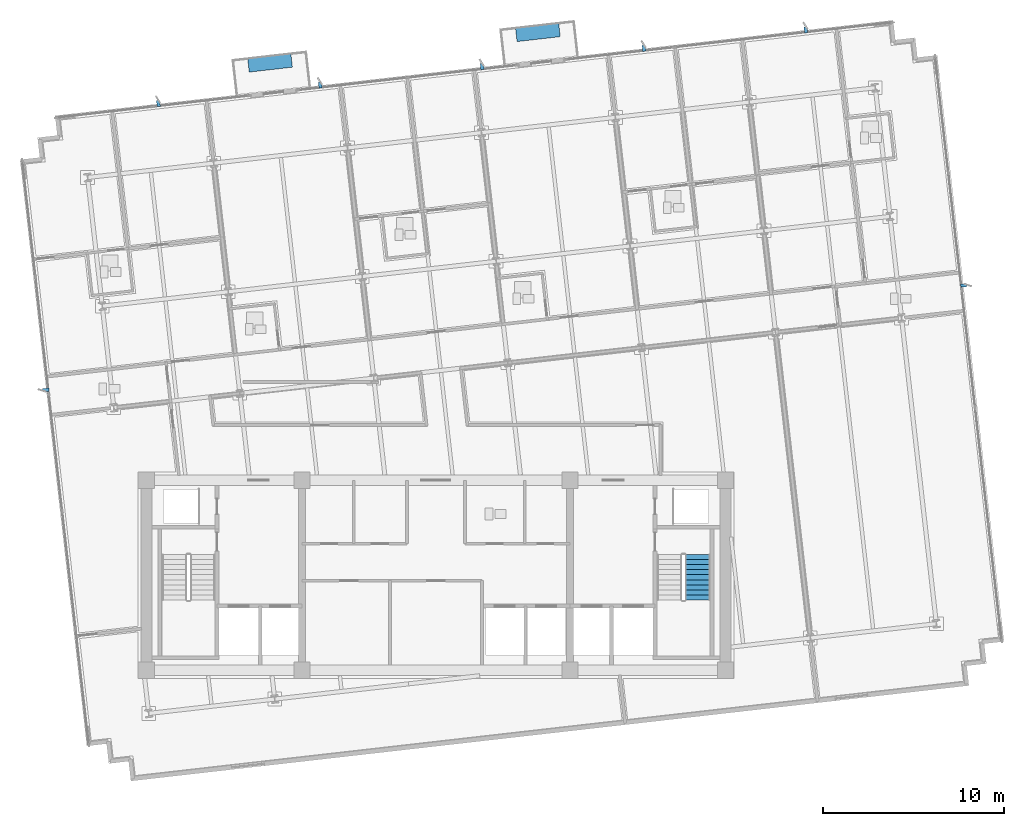
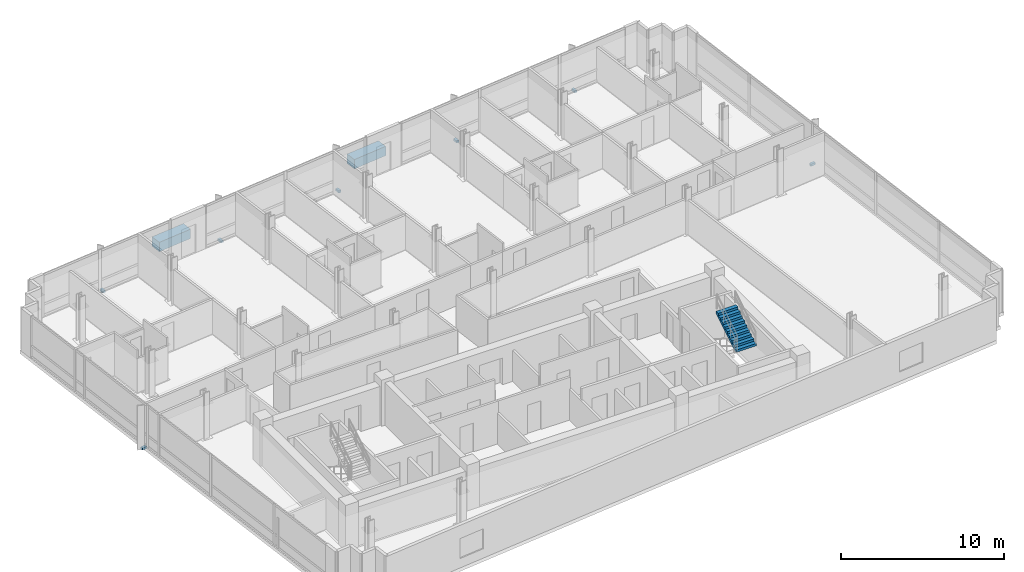
# One storey, part 12 of 17: 9 discrete accessories, 1 stair flight, 1 element without a shape of its own.
"""IFC4 building model written with IfcOpenShell, lengths in metres."""

from ifc_helpers import new_model, si_unit, direction, frame, origin, origin_2d, place, context, subcontext, project, spatial, polyline, rectangle, outline, extrude, material, type_object, element, aggregate, save


model = new_model("IFC4")

# Units and contexts
model_context = context("Model", 3, precision=1e-05, world=origin(), true_north=direction((0.0, 1.0)))
body_context = subcontext(model_context, "Body", "Model", "MODEL_VIEW")
ifc_project = project(units=[si_unit("LENGTHUNIT", "METRE"), si_unit("AREAUNIT", "SQUARE_METRE"), si_unit("VOLUMEUNIT", "CUBIC_METRE"), si_unit("PLANEANGLEUNIT", "RADIAN"), si_unit("MASSUNIT", "GRAM", prefix="KILO")], contexts=[model_context])

# Site, building, storey
site_placement = place(None, origin())
site = spatial("IfcSite", under=ifc_project, at=site_placement, CompositionType="ELEMENT")
building_placement = place(site_placement, origin())
building = spatial("IfcBuilding", under=site, at=building_placement, Name="Solmavex Isthmus Hotel", CompositionType="ELEMENT")
storey_placement = place(building_placement, frame((0.0, 0.0, 195.14990234375)))
storey = spatial("IfcBuildingStorey", under=building, at=storey_placement, Name="L52", CompositionType="ELEMENT", Elevation=195.14990234375)

# Stair, stair flight
ifc_material_1 = material(Name="Concrete C40/50", Category="concrete")
stair_type = type_object("IfcStairType", Name="STR-ST-2", PredefinedType="HALF_TURN_STAIR", material=ifc_material_1)
stair_placement = place(storey_placement, origin())
stair = element("IfcStair", 1, at=stair_placement, inside=storey, type_object=stair_type, Name="L52 Protected Exit Stair ST-2", PredefinedType="HALF_TURN_STAIR")
stair_flight_type = type_object("IfcStairFlightType", Name="SFL-ST-2", PredefinedType="STRAIGHT", material=ifc_material_1)
stair_flight_placement = place(storey_placement, frame((14.449951171875, -9.1201171875, 1.72509765625), z_axis=(0.0, 0.0, 1.0), x_axis=(0.0, 1.0, 0.0)))
stair_flight = element("IfcStairFlight", 2, at=stair_flight_placement, type_object=stair_flight_type, Name="ST-2 flight 2", NumberOfRisers=10, NumberOfTreads=9, PredefinedType="STRAIGHT", RiserHeight=0.1725, TreadLength=0.28, context=body_context, shape_type="SweptSolid", body=[
    extrude(outline(polyline([(0.0, 0.0), (0.0, 0.172607421875), (0.280029296875, 0.172607421875), (0.280029296875, 0.344970703125), (0.56005859375, 0.344970703125), (0.56005859375, 0.517578125), (0.840087890625, 0.517578125), (0.840087890625, 0.68994140625), (1.1201171875, 0.68994140625), (1.1201171875, 0.862548828125), (1.39990234375, 0.862548828125), (1.39990234375, 1.034912109375), (1.679931640625, 1.034912109375), (1.679931640625, 1.20751953125), (1.9599609375, 1.20751953125), (1.9599609375, 1.3798828125), (2.239990234375, 1.3798828125), (2.239990234375, 1.552490234375), (2.52001953125, 1.552490234375), (2.52001953125, 1.72509765625), (2.52001953125, 1.37646484375), (0.285888671875, 0.0), (0.0, 0.0)])), frame((0.0, 0.699951171875, 0.0), z_axis=(0.0, -1.0, 0.0), x_axis=(1.0, 0.0, 0.0)), (0.0, 0.0, 1.0), 1.39990234375),
])
aggregate(stair, [stair_flight])

# Discrete accessories
ifc_material_2 = material(Name="Steel ASTM A572 Grade 50", Category="steel")
discrete_accessory_type_1 = type_object("IfcDiscreteAccessoryType", Name="ACC-BRK-FIN", PredefinedType="BRACKET", material=ifc_material_2)
for number, where, z_axis, x_axis, name in (
    (3, (-15.333740234375, 18.314208984375, -0.169921875), (0.0, 0.0, 1.0), (-0.113203213768, 0.993571855677, 0.0), "Facade Fin Support Bracket L52-N1"),
    (4, (-6.3916015625, 19.3330078125, -0.169921875), (0.0, 0.0, 1.0), (-0.113203213768, 0.993571855677, 0.0), "Facade Fin Support Bracket L52-N2"),
    (5, (2.550537109375, 20.351806640625, -0.169921875), (0.0, 0.0, 1.0), (-0.113203213768, 0.993571855677, 0.0), "Facade Fin Support Bracket L52-N3"),
    (6, (11.49267578125, 21.37060546875, -0.169921875), (0.0, 0.0, 1.0), (-0.113203213768, 0.993571855677, 0.0), "Facade Fin Support Bracket L52-N4"),
    (7, (20.434814453125, 22.3896484375, -0.169921875), (0.0, 0.0, 1.0), (-0.113203213768, 0.993571855677, 0.0), "Facade Fin Support Bracket L52-N5"),
    (8, (-21.55224609375, 2.488525390625, -0.169921875), (0.0, 0.0, 1.0), (-0.993571855677, -0.113203213768, 0.0), "Facade Fin Support Bracket L52-W1"),
    (9, (29.15966796875, 8.266357421875, -0.169921875), (0.0, 0.0, 1.0), (0.993571855677, 0.113203213768, 0.0), "Facade Fin Support Bracket L52-E1"),
):
    element("IfcDiscreteAccessory", number, at=place(storey_placement, frame(where, z_axis=z_axis, x_axis=x_axis)), inside=storey, type_object=discrete_accessory_type_1, Name=name, PredefinedType="BRACKET", context=body_context, shape_type="SweptSolid", body=[
        extrude(rectangle(XDim=0.340087890625, YDim=0.179931640625, at=origin_2d()), origin(), (0.0, 0.0, 1.0), 0.159912109375),
    ])
ifc_material_3 = material(Name="Precast Concrete C40/50", Category="concrete")
discrete_accessory_type_2 = type_object("IfcDiscreteAccessoryType", Name="ACC-PLN-BALC", PredefinedType="USERDEFINED", material=ifc_material_3)
for number, where, z_axis, x_axis, name in (
    (10, (-9.1669921875, 20.556640625, 0.0), (0.0, 0.0, 1.0), (0.993571855677, 0.113203213768, 0.0), "Tree-Balcony Architectural Planter L52-B1"),
    (11, (5.62939453125, 22.24267578125, 0.0), (0.0, 0.0, 1.0), (0.993571855677, 0.113203213768, 0.0), "Tree-Balcony Architectural Planter L52-B2"),
):
    element("IfcDiscreteAccessory", number, at=place(storey_placement, frame(where, z_axis=z_axis, x_axis=x_axis)), inside=storey, type_object=discrete_accessory_type_2, Name=name, ObjectType="PLANTER", PredefinedType="USERDEFINED", context=body_context, shape_type="SweptSolid", body=[
        extrude(rectangle(XDim=2.39990234375, YDim=0.75, at=origin_2d()), origin(), (0.0, 0.0, 1.0), 0.699951171875),
    ])

save(model, "model.ifc")
